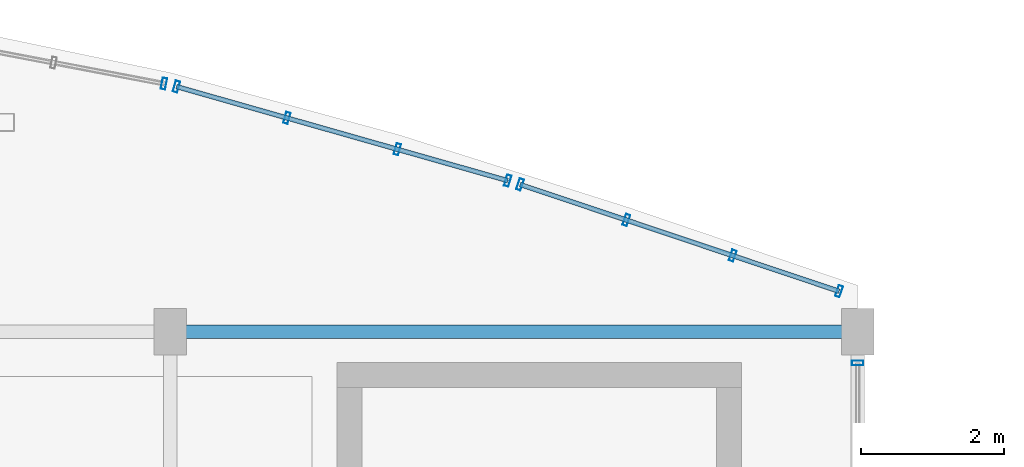
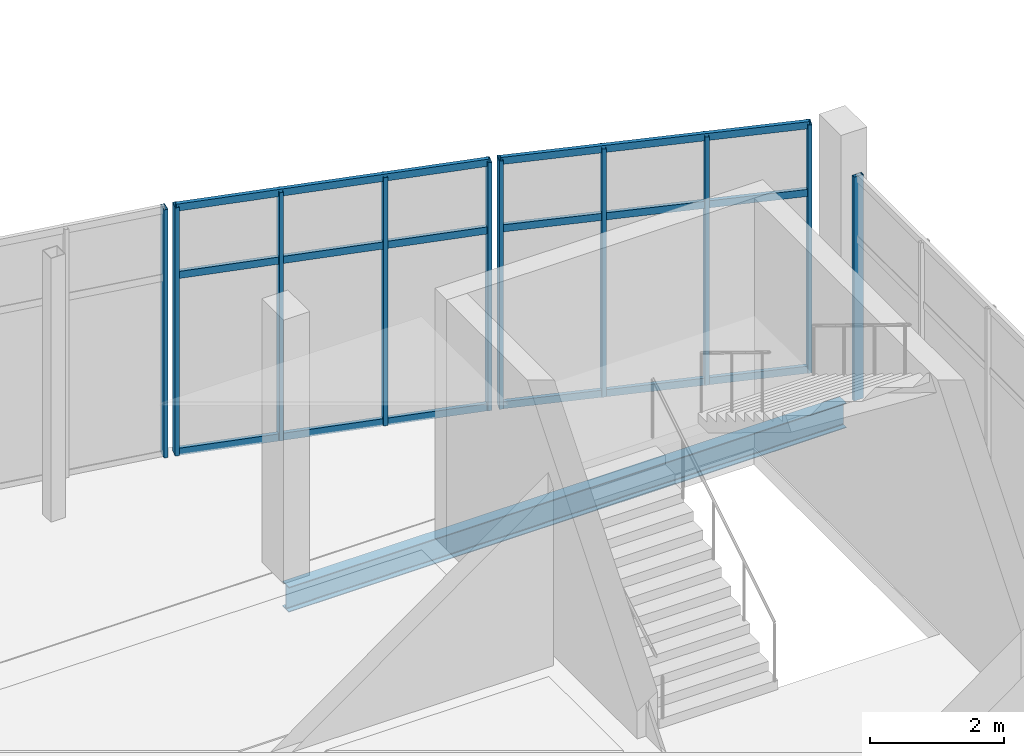
# One storey, part 44 of 157: 16 members, 1 beam, 4 elements without a shape of their own.
"""IFC4 building model written with IfcOpenShell, lengths in metres."""

from ifc_helpers import new_model, si_unit, direction, frame, origin, origin_2d, place, context, subcontext, project, spatial, hollow_rectangle, i_section, extrude, material, layer, layer_set, material_profile, profile_set, type_object, element, aggregate, save


model = new_model("IFC4")

# Units and contexts
model_context = context("Model", 3, precision=1e-05, world=origin(), true_north=direction((0.0, 1.0)))
body_context = subcontext(model_context, "Body", "Model", "MODEL_VIEW")
ifc_project = project(units=[si_unit("LENGTHUNIT", "METRE"), si_unit("AREAUNIT", "SQUARE_METRE"), si_unit("VOLUMEUNIT", "CUBIC_METRE"), si_unit("PLANEANGLEUNIT", "RADIAN"), si_unit("MASSUNIT", "GRAM", prefix="KILO")], contexts=[model_context])

# Site, building, storey
site_placement = place(None, origin())
site = spatial("IfcSite", under=ifc_project, at=site_placement, CompositionType="ELEMENT")
building_placement = place(site_placement, origin())
building = spatial("IfcBuilding", under=site, at=building_placement, Name="Chalmorin Arch Market", CompositionType="ELEMENT")
storey_placement = place(building_placement, frame((0.0, 0.0, 4.800048828125)))
storey = spatial("IfcBuildingStorey", under=building, at=storey_placement, Name="L01", CompositionType="ELEMENT", Elevation=4.800048828125)

# Curtain wall, member
ifc_material_1 = material(Name="Aluminium 6063-T6", Category="aluminium")
ifc_layer_1 = layer(ifc_material_1, 0.159912109375)
ifc_layer_set_1 = layer_set([ifc_layer_1], Name="Aluminium 6063-T6")
curtain_wall_type_1 = type_object("IfcCurtainWallType", Name="RiverfrontStorefrontCurtainWall-CW2-4710x4520", PredefinedType="NOTDEFINED", material=ifc_layer_set_1)
curtain_wall_1_placement = place(storey_placement, origin())
curtain_wall_1 = element("IfcCurtainWall", 1, at=curtain_wall_1_placement, inside=storey, type_object=curtain_wall_type_1, Name="CW-02-085", PredefinedType="NOTDEFINED")
ifc_material_profile_1 = material_profile(ifc_material_1, hollow_rectangle(XDim=0.06494140625, YDim=0.159912109375, WallThickness=0.00390625, at=origin_2d()), Name="ALU65X160X4")
ifc_profile_set_1 = profile_set([ifc_material_profile_1], Name="Aluminium 6063-T6")
member_type_1 = type_object("IfcMemberType", Name="CurtainWallMullion-65x160", PredefinedType="MULLION", material=ifc_profile_set_1)
member_1_placement = place(storey_placement, frame((28.711669921875, 53.466796875, 0.0), z_axis=(0.0, 0.0, 1.0), x_axis=(0.981627183448, -0.190808995377, 0.0)))
member_1 = element("IfcMember", 2, at=member_1_placement, type_object=member_type_1, Name="ML-085-04", PredefinedType="MULLION", context=body_context, shape_type="SweptSolid", body=[
    extrude(hollow_rectangle(XDim=0.06494140625, YDim=0.159912109375, WallThickness=0.00390625, at=origin_2d()), origin(), (0.0, 0.0, 1.0), 4.52001953125),
])
aggregate(curtain_wall_1, [member_1])

# Curtain wall, members
ifc_layer_2 = layer(ifc_material_1, 0.159912109375)
ifc_layer_set_2 = layer_set([ifc_layer_2], Name="Aluminium 6063-T6")
curtain_wall_type_2 = type_object("IfcCurtainWallType", Name="RiverfrontStorefrontCurtainWall-CW2-4810x4520", PredefinedType="NOTDEFINED", material=ifc_layer_set_2)
curtain_wall_2_placement = place(storey_placement, origin())
curtain_wall_2 = element("IfcCurtainWall", 3, at=curtain_wall_2_placement, inside=storey, type_object=curtain_wall_type_2, Name="CW-02-088", PredefinedType="NOTDEFINED")
member_2_placement = place(storey_placement, frame((28.88671875, 53.42529296875, 0.0), z_axis=(0.0, 0.0, 1.0), x_axis=(0.961261695938, -0.275637355817, 0.0)))
member_2 = element("IfcMember", 4, at=member_2_placement, type_object=member_type_1, Name="ML-088-01", PredefinedType="MULLION", context=body_context, shape_type="SweptSolid", body=[
    extrude(hollow_rectangle(XDim=0.06494140625, YDim=0.159912109375, WallThickness=0.00390625, at=origin_2d()), origin(), (0.0, 0.0, 1.0), 4.52001953125),
])
member_3_placement = place(storey_placement, frame((30.428955078125, 52.987548828125, 0.0), z_axis=(0.0, 0.0, 1.0), x_axis=(0.961261695938, -0.275637355817, 0.0)))
member_3 = element("IfcMember", 5, at=member_3_placement, type_object=member_type_1, Name="ML-088-02", PredefinedType="MULLION", context=body_context, shape_type="SweptSolid", body=[
    extrude(hollow_rectangle(XDim=0.06494140625, YDim=0.159912109375, WallThickness=0.00390625, at=origin_2d()), origin(), (0.0, 0.0, 1.0), 4.52001953125),
])
member_4_placement = place(storey_placement, frame((31.97119140625, 52.549560546875, 0.0), z_axis=(0.0, 0.0, 1.0), x_axis=(0.961261695938, -0.275637355817, 0.0)))
member_4 = element("IfcMember", 6, at=member_4_placement, type_object=member_type_1, Name="ML-088-03", PredefinedType="MULLION", context=body_context, shape_type="SweptSolid", body=[
    extrude(hollow_rectangle(XDim=0.06494140625, YDim=0.159912109375, WallThickness=0.00390625, at=origin_2d()), origin(), (0.0, 0.0, 1.0), 4.52001953125),
])
member_5_placement = place(storey_placement, frame((33.513427734375, 52.111572265625, 0.0), z_axis=(0.0, 0.0, 1.0), x_axis=(0.961261695938, -0.275637355817, 0.0)))
member_5 = element("IfcMember", 7, at=member_5_placement, type_object=member_type_1, Name="ML-088-04", PredefinedType="MULLION", context=body_context, shape_type="SweptSolid", body=[
    extrude(hollow_rectangle(XDim=0.06494140625, YDim=0.159912109375, WallThickness=0.00390625, at=origin_2d()), origin(), (0.0, 0.0, 1.0), 4.52001953125),
])

ifc_layer_3 = layer(ifc_material_1, 0.159912109375)
ifc_layer_set_3 = layer_set([ifc_layer_3], Name="Aluminium 6063-T6")
curtain_wall_type_3 = type_object("IfcCurtainWallType", Name="RiverfrontStorefrontCurtainWall-CW2-4700x4520", PredefinedType="NOTDEFINED", material=ifc_layer_set_3)
curtain_wall_3_placement = place(storey_placement, origin())
curtain_wall_3 = element("IfcCurtainWall", 8, at=curtain_wall_3_placement, inside=storey, type_object=curtain_wall_type_3, Name="CW-02-091", PredefinedType="NOTDEFINED")
member_6_placement = place(storey_placement, frame((33.685302734375, 52.058349609375, 0.0), z_axis=(0.0, 0.0, 1.0), x_axis=(0.945518575599, -0.325568154457, 0.0)))
member_6 = element("IfcMember", 9, at=member_6_placement, type_object=member_type_1, Name="ML-091-01", PredefinedType="MULLION", context=body_context, shape_type="SweptSolid", body=[
    extrude(hollow_rectangle(XDim=0.06494140625, YDim=0.159912109375, WallThickness=0.00390625, at=origin_2d()), origin(), (0.0, 0.0, 1.0), 4.52001953125),
])
member_7_placement = place(storey_placement, frame((35.170166015625, 51.561279296875, 0.0), z_axis=(0.0, 0.0, 1.0), x_axis=(0.945518575599, -0.325568154457, 0.0)))
member_7 = element("IfcMember", 10, at=member_7_placement, type_object=member_type_1, Name="ML-091-02", PredefinedType="MULLION", context=body_context, shape_type="SweptSolid", body=[
    extrude(hollow_rectangle(XDim=0.06494140625, YDim=0.159912109375, WallThickness=0.00390625, at=origin_2d()), origin(), (0.0, 0.0, 1.0), 4.52001953125),
])
member_8_placement = place(storey_placement, frame((36.655029296875, 51.064208984375, 0.0), z_axis=(0.0, 0.0, 1.0), x_axis=(0.945518575599, -0.325568154457, 0.0)))
member_8 = element("IfcMember", 11, at=member_8_placement, type_object=member_type_1, Name="ML-091-03", PredefinedType="MULLION", context=body_context, shape_type="SweptSolid", body=[
    extrude(hollow_rectangle(XDim=0.06494140625, YDim=0.159912109375, WallThickness=0.00390625, at=origin_2d()), origin(), (0.0, 0.0, 1.0), 4.52001953125),
])
member_9_placement = place(storey_placement, frame((38.139892578125, 50.56689453125, 0.0), z_axis=(0.0, 0.0, 1.0), x_axis=(0.945518575599, -0.325568154457, 0.0)))
member_9 = element("IfcMember", 12, at=member_9_placement, type_object=member_type_1, Name="ML-091-04", PredefinedType="MULLION", context=body_context, shape_type="SweptSolid", body=[
    extrude(hollow_rectangle(XDim=0.06494140625, YDim=0.159912109375, WallThickness=0.00390625, at=origin_2d()), origin(), (0.0, 0.0, 1.0), 4.52001953125),
])

# Curtain wall, member
ifc_layer_4 = layer(ifc_material_1, 0.159912109375)
ifc_layer_set_4 = layer_set([ifc_layer_4], Name="Aluminium 6063-T6")
curtain_wall_type_4 = type_object("IfcCurtainWallType", Name="RiverfrontStorefrontCurtainWall-CW2-7930x4080", PredefinedType="NOTDEFINED", material=ifc_layer_set_4)
curtain_wall_4_placement = place(storey_placement, origin())
curtain_wall_4 = element("IfcCurtainWall", 13, at=curtain_wall_4_placement, inside=storey, type_object=curtain_wall_type_4, Name="CW-02-105", PredefinedType="NOTDEFINED")
member_10_placement = place(storey_placement, frame((38.39990234375, 49.56494140625, 0.0), z_axis=(0.0, 0.0, 1.0), x_axis=(0.0, 1.0, 0.0)))
member_10 = element("IfcMember", 14, at=member_10_placement, type_object=member_type_1, Name="ML-105-05", PredefinedType="MULLION", context=body_context, shape_type="SweptSolid", body=[
    extrude(hollow_rectangle(XDim=0.06494140625, YDim=0.159912109375, WallThickness=0.00390625, at=origin_2d()), origin(), (0.0, 0.0, 1.0), 4.075927734375),
])
aggregate(curtain_wall_4, [member_10])

# Member
ifc_material_profile_2 = material_profile(ifc_material_1, hollow_rectangle(XDim=0.06494140625, YDim=0.1298828125, WallThickness=0.00390625, at=origin_2d()), Name="ALU65X130X4")
ifc_profile_set_2 = profile_set([ifc_material_profile_2], Name="Aluminium 6063-T6")
member_type_2 = type_object("IfcMemberType", Name="CurtainWallTransom-65x130", PredefinedType="USERDEFINED", material=ifc_profile_set_2)
member_11_placement = place(storey_placement, frame((28.88671875, 53.42529296875, 0.034912109375), z_axis=(0.96197280209, -0.273145250807, 0.0), x_axis=(0.273145250807, 0.96197280209, 0.0)))
member_11 = element("IfcMember", 15, at=member_11_placement, type_object=member_type_2, Name="TR-088-01", ObjectType="TRANSOM", PredefinedType="USERDEFINED", context=body_context, shape_type="SweptSolid", body=[
    extrude(hollow_rectangle(XDim=0.06494140625, YDim=0.1298828125, WallThickness=0.00390625, at=origin_2d()), origin(), (0.0, 0.0, 1.0), 4.8095703125),
])

member_12_placement = place(storey_placement, frame((28.88671875, 53.42529296875, 3.25439453125), z_axis=(0.96197280209, -0.273145250807, 0.0), x_axis=(0.273145250807, 0.96197280209, 0.0)))
member_12 = element("IfcMember", 16, at=member_12_placement, type_object=member_type_2, Name="TR-088-02", ObjectType="TRANSOM", PredefinedType="USERDEFINED", context=body_context, shape_type="SweptSolid", body=[
    extrude(hollow_rectangle(XDim=0.06494140625, YDim=0.1298828125, WallThickness=0.00390625, at=origin_2d()), origin(), (0.0, 0.0, 1.0), 4.8095703125),
])

member_13_placement = place(storey_placement, frame((28.88671875, 53.42529296875, 4.48486328125), z_axis=(0.96197280209, -0.273145250807, 0.0), x_axis=(0.273145250807, 0.96197280209, 0.0)))
member_13 = element("IfcMember", 17, at=member_13_placement, type_object=member_type_2, Name="TR-088-03", ObjectType="TRANSOM", PredefinedType="USERDEFINED", context=body_context, shape_type="SweptSolid", body=[
    extrude(hollow_rectangle(XDim=0.06494140625, YDim=0.1298828125, WallThickness=0.00390625, at=origin_2d()), origin(), (0.0, 0.0, 1.0), 4.8095703125),
])

aggregate(curtain_wall_2, [member_2, member_3, member_4, member_5, member_11, member_12, member_13])

member_14_placement = place(storey_placement, frame((33.685302734375, 52.058349609375, 0.034912109375), z_axis=(0.948261492974, -0.317490379293, 0.0), x_axis=(0.317490379293, 0.948261492974, 0.0)))
member_14 = element("IfcMember", 18, at=member_14_placement, type_object=member_type_2, Name="TR-091-01", ObjectType="TRANSOM", PredefinedType="USERDEFINED", context=body_context, shape_type="SweptSolid", body=[
    extrude(hollow_rectangle(XDim=0.06494140625, YDim=0.1298828125, WallThickness=0.00390625, at=origin_2d()), origin(), (0.0, 0.0, 1.0), 4.69775390625),
])

member_15_placement = place(storey_placement, frame((33.685302734375, 52.058349609375, 3.25439453125), z_axis=(0.948261492974, -0.317490379293, 0.0), x_axis=(0.317490379293, 0.948261492974, 0.0)))
member_15 = element("IfcMember", 19, at=member_15_placement, type_object=member_type_2, Name="TR-091-02", ObjectType="TRANSOM", PredefinedType="USERDEFINED", context=body_context, shape_type="SweptSolid", body=[
    extrude(hollow_rectangle(XDim=0.06494140625, YDim=0.1298828125, WallThickness=0.00390625, at=origin_2d()), origin(), (0.0, 0.0, 1.0), 4.69775390625),
])

member_16_placement = place(storey_placement, frame((33.685302734375, 52.058349609375, 4.48486328125), z_axis=(0.948261492974, -0.317490379293, 0.0), x_axis=(0.317490379293, 0.948261492974, 0.0)))
member_16 = element("IfcMember", 20, at=member_16_placement, type_object=member_type_2, Name="TR-091-03", ObjectType="TRANSOM", PredefinedType="USERDEFINED", context=body_context, shape_type="SweptSolid", body=[
    extrude(hollow_rectangle(XDim=0.06494140625, YDim=0.1298828125, WallThickness=0.00390625, at=origin_2d()), origin(), (0.0, 0.0, 1.0), 4.69775390625),
])

aggregate(curtain_wall_3, [member_6, member_7, member_8, member_9, member_14, member_15, member_16])

# Beam
ifc_material_2 = material(Name="Steel A992 Grade 50", Category="steel")
ifc_material_profile_3 = material_profile(ifc_material_2, i_section(OverallWidth=0.19091796875, OverallDepth=0.45703125, WebThickness=0.009033203125, FlangeThickness=0.014404296875, FilletRadius=0.02001953125, at=origin_2d()), Name="W18X50")
ifc_profile_set_3 = profile_set([ifc_material_profile_3], Name="Steel A992 Grade 50")
beam_type = type_object("IfcBeamType", Name="PerimeterSpandrelBeam-W18X50", PredefinedType="SPANDREL", material=ifc_profile_set_3)
beam_placement = place(storey_placement, frame((28.800048828125, 50.0, -0.510498046875), z_axis=(1.0, 0.0, 0.0), x_axis=(0.0, 1.0, 0.0)))
element("IfcBeam", 21, at=beam_placement, inside=storey, type_object=beam_type, Name="SP-W18-0843", PredefinedType="SPANDREL", context=body_context, shape_type="SweptSolid", body=[
    extrude(i_section(OverallWidth=0.19091796875, OverallDepth=0.45703125, WebThickness=0.009033203125, FlangeThickness=0.014404296875, FilletRadius=0.02001953125, at=origin_2d()), origin(), (0.0, 0.0, 1.0), 9.599853515625),
])

save(model, "model.ifc")
